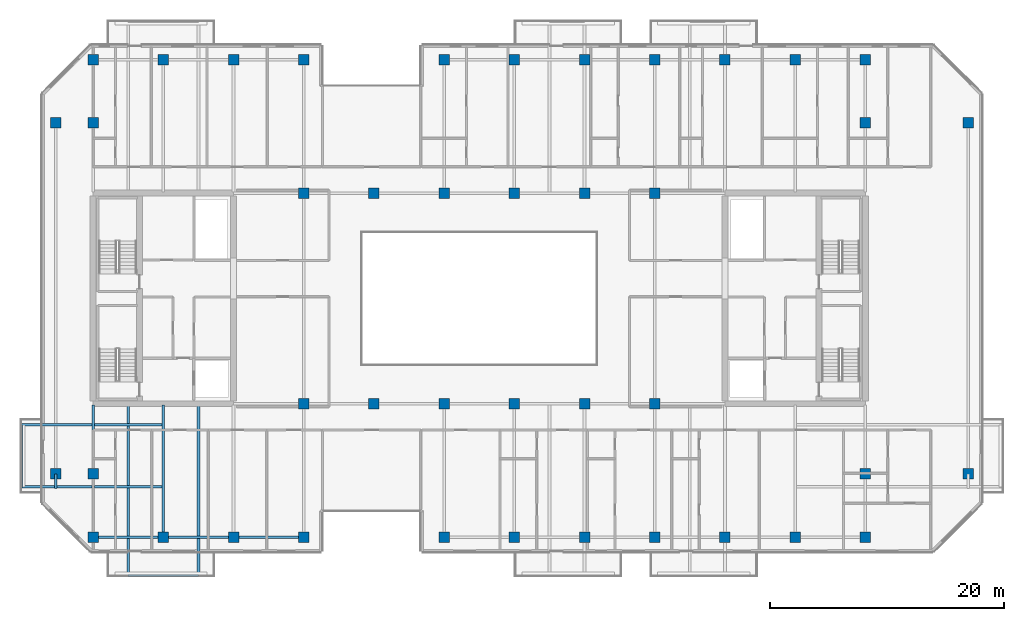
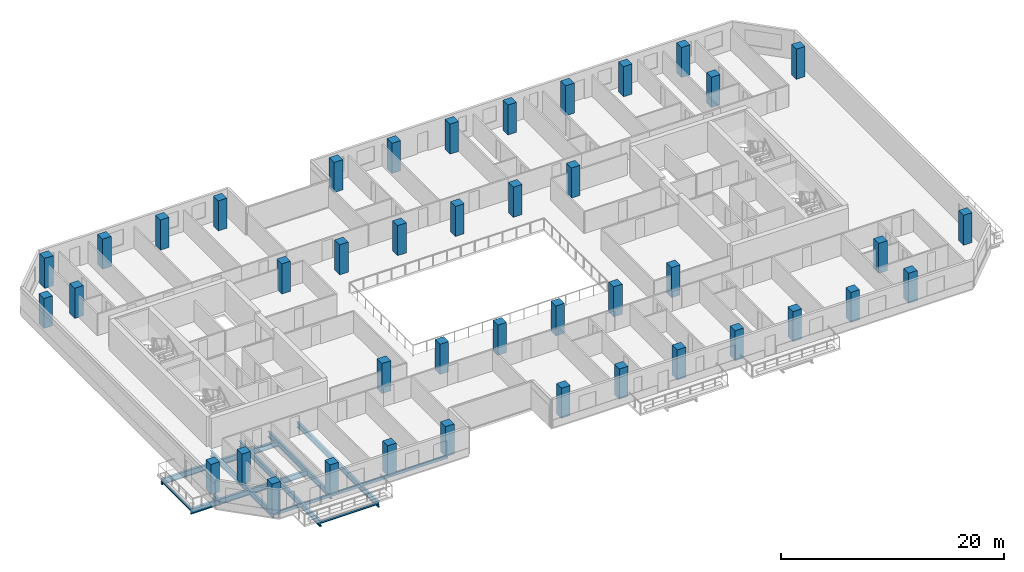
# One storey, part 1 of 19: 42 columns, 12 beams.
"""IFC4 building model written with IfcOpenShell, lengths in metres."""

from ifc_helpers import new_model, si_unit, direction, frame, origin, origin_2d, place, context, subcontext, project, spatial, rectangle, hollow_rectangle, i_section, extrude, material, material_profile, profile_set, type_object, element, save


model = new_model("IFC4")

# Units and contexts
model_context = context("Model", 3, precision=1e-05, world=origin(), true_north=direction((0.0, 1.0)))
body_context = subcontext(model_context, "Body", "Model", "MODEL_VIEW")
ifc_project = project(units=[si_unit("LENGTHUNIT", "METRE"), si_unit("AREAUNIT", "SQUARE_METRE"), si_unit("VOLUMEUNIT", "CUBIC_METRE"), si_unit("PLANEANGLEUNIT", "RADIAN"), si_unit("MASSUNIT", "GRAM", prefix="KILO")], contexts=[model_context])

# Site, building, storey
site_placement = place(None, origin())
site = spatial("IfcSite", under=ifc_project, at=site_placement, CompositionType="ELEMENT")
building_placement = place(site_placement, origin())
building = spatial("IfcBuilding", under=site, at=building_placement, Name="Tanjung Sevakor Pilgrim Tower", CompositionType="ELEMENT")
storey_placement = place(building_placement, frame((0.0, 0.0, 138.60009765625)))
storey = spatial("IfcBuildingStorey", under=building, at=storey_placement, Name="L38", CompositionType="ELEMENT", Elevation=138.60009765625)

# Columns
ifc_material_1 = material(Name="Concrete C60/75", Category="concrete")
ifc_material_profile_1 = material_profile(ifc_material_1, rectangle(XDim=0.89990234375, YDim=0.89990234375, at=origin_2d()))
ifc_profile_set_1 = profile_set([ifc_material_profile_1], Name="Concrete C60/75")
column_type = type_object("IfcColumnType", Name="COL-C-T900-RC_900x900", PredefinedType="COLUMN", material=ifc_profile_set_1)
for number, where, z_axis, x_axis, name in (
    (1, (42.0, 24.60009765625, 0.0), (0.0, 0.0, 1.0), (1.0, 0.0, 0.0), "L38 Column SPW-042-246"),
    (2, (42.0, 42.60009765625, 0.0), (0.0, 0.0, 1.0), (1.0, 0.0, 0.0), "L38 Column SPW-042-426"),
    (3, (48.0, 24.60009765625, 0.0), (0.0, 0.0, 1.0), (1.0, 0.0, 0.0), "L38 Column SPW-048-246"),
    (4, (48.0, 42.60009765625, 0.0), (0.0, 0.0, 1.0), (1.0, 0.0, 0.0), "L38 Column SPW-048-426"),
    (5, (54.0, 24.60009765625, 0.0), (0.0, 0.0, 1.0), (1.0, 0.0, 0.0), "L38 Column SPE-054-246"),
    (6, (54.0, 42.60009765625, 0.0), (0.0, 0.0, 1.0), (1.0, 0.0, 0.0), "L38 Column SPE-054-426"),
    (7, (60.0, 24.60009765625, 0.0), (0.0, 0.0, 1.0), (1.0, 0.0, 0.0), "L38 Column SPE-060-246"),
    (8, (60.0, 42.60009765625, 0.0), (0.0, 0.0, 1.0), (1.0, 0.0, 0.0), "L38 Column SPE-060-426"),
    (9, (66.0, 24.60009765625, 0.0), (0.0, 0.0, 1.0), (1.0, 0.0, 0.0), "L38 Column SPE-066-246"),
    (10, (66.0, 42.60009765625, 0.0), (0.0, 0.0, 1.0), (1.0, 0.0, 0.0), "L38 Column SPE-066-426"),
    (11, (72.0, 24.60009765625, 0.0), (0.0, 0.0, 1.0), (1.0, 0.0, 0.0), "L38 Column SPE-072-246"),
    (12, (72.0, 42.60009765625, 0.0), (0.0, 0.0, 1.0), (1.0, 0.0, 0.0), "L38 Column SPE-072-426"),
    (13, (20.800048828125, 18.60009765625, 0.0), (0.0, 0.0, 1.0), (1.0, 0.0, 0.0), "L38 Column TCE-0208-186"),
    (14, (20.800048828125, 48.60009765625, 0.0), (0.0, 0.0, 1.0), (1.0, 0.0, 0.0), "L38 Column TCE-0208-486"),
    (15, (24.0, 18.60009765625, 0.0), (0.0, 0.0, 1.0), (1.0, 0.0, 0.0), "L38 Column TCE-0240-186"),
    (16, (24.0, 48.60009765625, 0.0), (0.0, 0.0, 1.0), (1.0, 0.0, 0.0), "L38 Column TCE-0240-486"),
    (17, (90.0, 18.60009765625, 0.0), (0.0, 0.0, 1.0), (1.0, 0.0, 0.0), "L38 Column TCE-0900-186"),
    (18, (90.0, 48.60009765625, 0.0), (0.0, 0.0, 1.0), (1.0, 0.0, 0.0), "L38 Column TCE-0900-486"),
    (19, (98.800048828125, 18.60009765625, 0.0), (0.0, 0.0, 1.0), (1.0, 0.0, 0.0), "L38 Column TCE-0988-186"),
    (20, (98.800048828125, 48.60009765625, 0.0), (0.0, 0.0, 1.0), (1.0, 0.0, 0.0), "L38 Column TCE-0988-486"),
    (21, (24.0, 13.199951171875, 0.0), (0.0, 0.0, 1.0), (1.0, 0.0, 0.0), "L38 Column TC3-024-132"),
    (22, (24.0, 54.0, 0.0), (0.0, 0.0, 1.0), (1.0, 0.0, 0.0), "L38 Column TC3-024-540"),
    (23, (30.0, 13.199951171875, 0.0), (0.0, 0.0, 1.0), (1.0, 0.0, 0.0), "L38 Column TC3-030-132"),
    (24, (30.0, 54.0, 0.0), (0.0, 0.0, 1.0), (1.0, 0.0, 0.0), "L38 Column TC3-030-540"),
    (25, (36.0, 13.199951171875, 0.0), (0.0, 0.0, 1.0), (1.0, 0.0, 0.0), "L38 Column TC3-036-132"),
    (26, (36.0, 54.0, 0.0), (0.0, 0.0, 1.0), (1.0, 0.0, 0.0), "L38 Column TC3-036-540"),
    (27, (42.0, 13.199951171875, 0.0), (0.0, 0.0, 1.0), (1.0, 0.0, 0.0), "L38 Column TC3-042-132"),
    (28, (42.0, 54.0, 0.0), (0.0, 0.0, 1.0), (1.0, 0.0, 0.0), "L38 Column TC3-042-540"),
    (29, (54.0, 13.199951171875, 0.0), (0.0, 0.0, 1.0), (1.0, 0.0, 0.0), "L38 Column TC3-054-132"),
    (30, (54.0, 54.0, 0.0), (0.0, 0.0, 1.0), (1.0, 0.0, 0.0), "L38 Column TC3-054-540"),
    (31, (60.0, 13.199951171875, 0.0), (0.0, 0.0, 1.0), (1.0, 0.0, 0.0), "L38 Column TC3-060-132"),
    (32, (60.0, 54.0, 0.0), (0.0, 0.0, 1.0), (1.0, 0.0, 0.0), "L38 Column TC3-060-540"),
    (33, (66.0, 13.199951171875, 0.0), (0.0, 0.0, 1.0), (1.0, 0.0, 0.0), "L38 Column TC3-066-132"),
    (34, (66.0, 54.0, 0.0), (0.0, 0.0, 1.0), (1.0, 0.0, 0.0), "L38 Column TC3-066-540"),
    (35, (72.0, 13.199951171875, 0.0), (0.0, 0.0, 1.0), (1.0, 0.0, 0.0), "L38 Column TC3-072-132"),
    (36, (72.0, 54.0, 0.0), (0.0, 0.0, 1.0), (1.0, 0.0, 0.0), "L38 Column TC3-072-540"),
    (37, (78.0, 13.199951171875, 0.0), (0.0, 0.0, 1.0), (1.0, 0.0, 0.0), "L38 Column TC3-078-132"),
    (38, (78.0, 54.0, 0.0), (0.0, 0.0, 1.0), (1.0, 0.0, 0.0), "L38 Column TC3-078-540"),
    (39, (84.0, 13.199951171875, 0.0), (0.0, 0.0, 1.0), (1.0, 0.0, 0.0), "L38 Column TC3-084-132"),
    (40, (84.0, 54.0, 0.0), (0.0, 0.0, 1.0), (1.0, 0.0, 0.0), "L38 Column TC3-084-540"),
    (41, (90.0, 13.199951171875, 0.0), (0.0, 0.0, 1.0), (1.0, 0.0, 0.0), "L38 Column TC3-090-132"),
    (42, (90.0, 54.0, 0.0), (0.0, 0.0, 1.0), (1.0, 0.0, 0.0), "L38 Column TC3-090-540"),
):
    element("IfcColumn", number, at=place(storey_placement, frame(where, z_axis=z_axis, x_axis=x_axis)), inside=storey, type_object=column_type, Name=name, PredefinedType="COLUMN", context=body_context, shape_type="SweptSolid", body=[
        extrude(rectangle(XDim=0.89990234375, YDim=0.89990234375, at=origin_2d()), origin(), (0.0, 0.0, 1.0), 3.2998046875),
    ])

# Beams
ifc_material_2 = material(Name="Steel S355J2", Category="steel")
ifc_material_profile_2 = material_profile(ifc_material_2, i_section(OverallWidth=0.22900390625, OverallDepth=0.6123046875, WebThickness=0.011962890625, FlangeThickness=0.01953125, FilletRadius=0.0126953125, at=origin_2d()))
ifc_profile_set_2 = profile_set([ifc_material_profile_2], Name="Steel S355J2")
beam_type_1 = type_object("IfcBeamType", Name="BM-B-G4-UB_610x229x125", PredefinedType="BEAM", material=ifc_profile_set_2)
beam_1_placement = place(storey_placement, frame((20.800048828125, 18.60009765625, -0.526123046875), z_axis=(0.0, -1.0, 0.0), x_axis=(1.0, 0.0, 0.0)))
element("IfcBeam", 43, at=beam_1_placement, inside=storey, type_object=beam_type_1, Name="L38 Short-End Edge Extension S-W", PredefinedType="BEAM", context=body_context, shape_type="SweptSolid", body=[
    extrude(i_section(OverallWidth=0.22900390625, OverallDepth=0.6123046875, WebThickness=0.011962890625, FlangeThickness=0.01953125, FilletRadius=0.0126953125, at=origin_2d()), origin(), (0.0, 0.0, 1.0), 1.25),
])
for number, where, z_axis, x_axis, name in (
    (44, (30.0, 17.5, -0.526123046875), (-1.0, 0.0, 0.0), (0.0, -1.0, 0.0), "L38 Balcony Overhanging Beam MAIN-W1-1"),
    (45, (30.0, 22.800048828125, -0.526123046875), (-1.0, 0.0, 0.0), (0.0, -1.0, 0.0), "L38 Balcony Overhanging Beam MAIN-W1-2"),
):
    element("IfcBeam", number, at=place(storey_placement, frame(where, z_axis=z_axis, x_axis=x_axis)), inside=storey, type_object=beam_type_1, Name=name, PredefinedType="BEAM", context=body_context, shape_type="SweptSolid", body=[
        extrude(i_section(OverallWidth=0.22900390625, OverallDepth=0.6123046875, WebThickness=0.011962890625, FlangeThickness=0.01953125, FilletRadius=0.0126953125, at=origin_2d()), origin(), (0.0, 0.0, 1.0), 12.1298828125),
    ])
beam_2_placement = place(storey_placement, frame((24.0, 13.199951171875, -0.526123046875), z_axis=(0.0, 1.0, 0.0), x_axis=(-1.0, 0.0, 0.0)))
element("IfcBeam", 46, at=beam_2_placement, inside=storey, type_object=beam_type_1, Name="L38 MAIN Girder 001", PredefinedType="BEAM", context=body_context, shape_type="SweptSolid", body=[
    extrude(i_section(OverallWidth=0.22900390625, OverallDepth=0.6123046875, WebThickness=0.011962890625, FlangeThickness=0.01953125, FilletRadius=0.0126953125, at=origin_2d()), origin(), (0.0, 0.0, 1.0), 11.284912109375),
])
beam_3_placement = place(storey_placement, frame((27.0, 24.48486328125, -0.526123046875), z_axis=(0.0, -1.0, 0.0), x_axis=(1.0, 0.0, 0.0)))
element("IfcBeam", 47, at=beam_3_placement, inside=storey, type_object=beam_type_1, Name="L38 Balcony Cantilever Beam MAIN-S1-1", PredefinedType="BEAM", context=body_context, shape_type="SweptSolid", body=[
    extrude(i_section(OverallWidth=0.22900390625, OverallDepth=0.6123046875, WebThickness=0.011962890625, FlangeThickness=0.01953125, FilletRadius=0.0126953125, at=origin_2d()), origin(), (0.0, 0.0, 1.0), 14.56494140625),
])
beam_4_placement = place(storey_placement, frame((30.0, 13.199951171875, -0.526123046875), z_axis=(0.0, 1.0, 0.0), x_axis=(-1.0, 0.0, 0.0)))
element("IfcBeam", 48, at=beam_4_placement, inside=storey, type_object=beam_type_1, Name="L38 MAIN Girder 003", PredefinedType="BEAM", context=body_context, shape_type="SweptSolid", body=[
    extrude(i_section(OverallWidth=0.22900390625, OverallDepth=0.6123046875, WebThickness=0.011962890625, FlangeThickness=0.01953125, FilletRadius=0.0126953125, at=origin_2d()), origin(), (0.0, 0.0, 1.0), 11.284912109375),
])
beam_5_placement = place(storey_placement, frame((33.0, 24.48486328125, -0.526123046875), z_axis=(0.0, -1.0, 0.0), x_axis=(1.0, 0.0, 0.0)))
element("IfcBeam", 49, at=beam_5_placement, inside=storey, type_object=beam_type_1, Name="L38 Balcony Cantilever Beam MAIN-S1-2", PredefinedType="BEAM", context=body_context, shape_type="SweptSolid", body=[
    extrude(i_section(OverallWidth=0.22900390625, OverallDepth=0.6123046875, WebThickness=0.011962890625, FlangeThickness=0.01953125, FilletRadius=0.0126953125, at=origin_2d()), origin(), (0.0, 0.0, 1.0), 14.56494140625),
])
ifc_material_3 = material(Name="Steel S355J2", Category="steel")
ifc_material_profile_3 = material_profile(ifc_material_3, i_section(OverallWidth=0.146484375, OverallDepth=0.256103515625, WebThickness=0.00634765625, FlangeThickness=0.010986328125, FilletRadius=0.007568359375, at=origin_2d()))
ifc_profile_set_3 = profile_set([ifc_material_profile_3], Name="Steel S355J2")
beam_type_2 = type_object("IfcBeamType", Name="BM-B-J6-UB_254x146x37", PredefinedType="JOIST", material=ifc_profile_set_3)
beam_6_placement = place(storey_placement, frame((27.0, 9.919921875, -0.328125), z_axis=(1.0, 0.0, 0.0), x_axis=(0.0, 1.0, 0.0)))
element("IfcBeam", 50, at=beam_6_placement, inside=storey, type_object=beam_type_2, Name="L38 Balcony Rim Tie MAIN-S1", PredefinedType="JOIST", context=body_context, shape_type="SweptSolid", body=[
    extrude(i_section(OverallWidth=0.146484375, OverallDepth=0.256103515625, WebThickness=0.00634765625, FlangeThickness=0.010986328125, FilletRadius=0.007568359375, at=origin_2d()), origin(), (0.0, 0.0, 1.0), 6.0),
])
beam_7_placement = place(storey_placement, frame((17.8701171875, 17.5, -0.328125), z_axis=(0.0, 1.0, 0.0), x_axis=(-1.0, 0.0, 0.0)))
element("IfcBeam", 51, at=beam_7_placement, inside=storey, type_object=beam_type_2, Name="L38 Balcony Rim Tie MAIN-W1", PredefinedType="JOIST", context=body_context, shape_type="SweptSolid", body=[
    extrude(i_section(OverallWidth=0.146484375, OverallDepth=0.256103515625, WebThickness=0.00634765625, FlangeThickness=0.010986328125, FilletRadius=0.007568359375, at=origin_2d()), origin(), (0.0, 0.0, 1.0), 5.300048828125),
])
ifc_material_4 = material(Name="Steel S355J2", Category="steel")
ifc_material_profile_4 = material_profile(ifc_material_4, hollow_rectangle(XDim=0.199951171875, YDim=0.300048828125, WallThickness=0.012451171875, at=origin_2d()))
ifc_profile_set_4 = profile_set([ifc_material_profile_4], Name="Steel S355J2")
beam_type_3 = type_object("IfcBeamType", Name="BM-B-SP3-RHS_300x200x12.5", PredefinedType="SPANDREL", material=ifc_profile_set_4)
for number, where, z_axis, x_axis, name in (
    (52, (24.0, 13.199951171875, -0.3701171875), (1.0, 0.0, 0.0), (0.0, 1.0, 0.0), "L38 Spandrel MAIN S-01"),
    (53, (30.0, 13.199951171875, -0.3701171875), (1.0, 0.0, 0.0), (0.0, 1.0, 0.0), "L38 Spandrel MAIN S-03"),
    (54, (36.0, 13.199951171875, -0.3701171875), (1.0, 0.0, 0.0), (0.0, 1.0, 0.0), "L38 Spandrel MAIN S-05"),
):
    element("IfcBeam", number, at=place(storey_placement, frame(where, z_axis=z_axis, x_axis=x_axis)), inside=storey, type_object=beam_type_3, Name=name, PredefinedType="SPANDREL", context=body_context, shape_type="SweptSolid", body=[
        extrude(hollow_rectangle(XDim=0.199951171875, YDim=0.300048828125, WallThickness=0.012451171875, at=origin_2d()), origin(), (0.0, 0.0, 1.0), 6.0),
    ])

save(model, "model.ifc")
